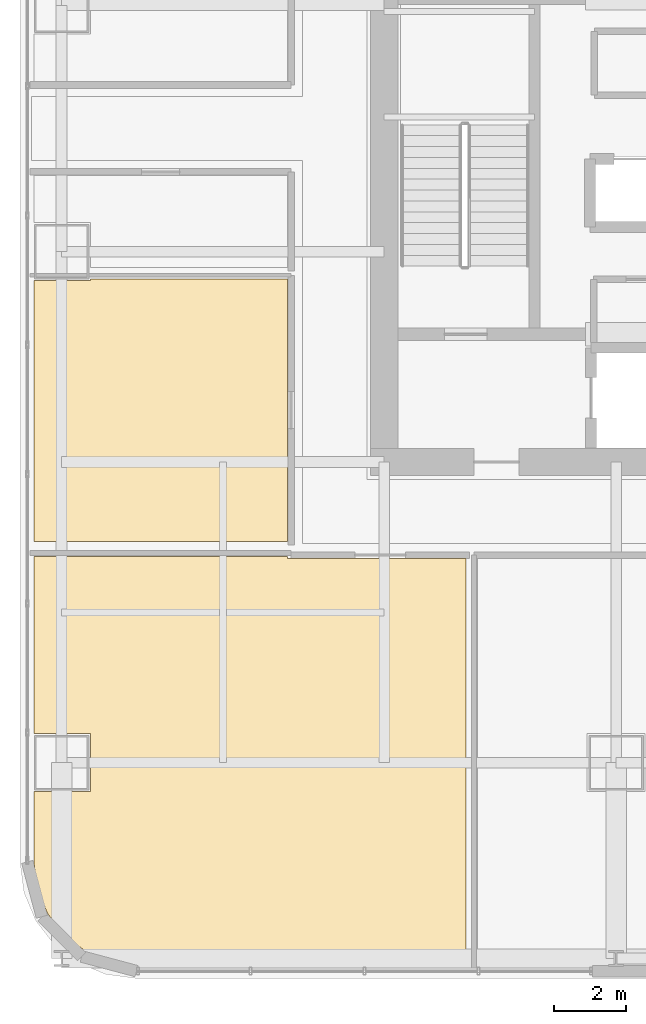
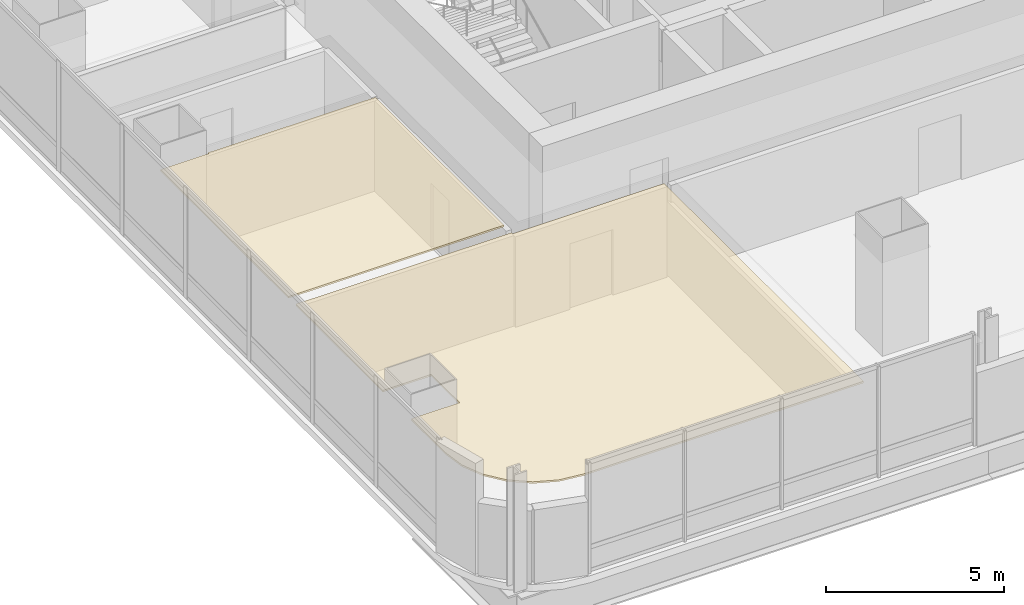
# One storey, part 32 of 40: 2 coverings.
"""IFC4 building model written with IfcOpenShell, lengths in metres."""

from ifc_helpers import new_model, si_unit, direction, frame, origin, place, context, subcontext, project, spatial, polyline, outline, extrude, material, layer, layer_set, type_object, element, save


model = new_model("IFC4")

# Units and contexts
model_context = context("Model", 3, precision=1e-05, world=origin(), true_north=direction((0.0, 1.0)))
body_context = subcontext(model_context, "Body", "Model", "MODEL_VIEW")
ifc_project = project(units=[si_unit("LENGTHUNIT", "METRE"), si_unit("AREAUNIT", "SQUARE_METRE"), si_unit("VOLUMEUNIT", "CUBIC_METRE"), si_unit("PLANEANGLEUNIT", "RADIAN"), si_unit("MASSUNIT", "GRAM", prefix="KILO")], contexts=[model_context])

# Site, building, storey
site_placement = place(None, origin())
site = spatial("IfcSite", under=ifc_project, at=site_placement, CompositionType="ELEMENT")
building_placement = place(site_placement, origin())
building = spatial("IfcBuilding", under=site, at=building_placement, Name="Punatoya Terracotta Tower", CompositionType="ELEMENT")
storey_placement = place(building_placement, frame((0.0, 0.0, 76.800048828125)))
storey = spatial("IfcBuildingStorey", under=building, at=storey_placement, Name="L17", CompositionType="ELEMENT", Elevation=76.800048828125)

# Coverings
ifc_material = material(Name="Acoustic Mineral Fibre Ceiling")
ifc_layer = layer(ifc_material, 0.06005859375)
ifc_layer_set = layer_set([ifc_layer], Name="Acoustic Mineral Fibre Ceiling")
covering_type = type_object("IfcCoveringType", Name="COV-CEIL-60", PredefinedType="CEILING", material=ifc_layer_set)
covering_1_placement = place(storey_placement, frame((0.0, 0.0, 3.199951171875)))
element("IfcCovering", 1, at=covering_1_placement, inside=storey, type_object=covering_type, Name="L17 Open-Plan Client Strategy Boardroom Acoustic Ceiling", PredefinedType="CEILING", context=body_context, shape_type="SweptSolid", body=[
    extrude(outline(polyline([(-19.8701171875, -18.300048828125), (-19.8701171875, -20.22509765625), (-19.770751953125, -20.97900390625), (-19.489501953125, -21.658203125), (-19.041748046875, -22.24169921875), (-18.458251953125, -22.689453125), (-17.779052734375, -22.970703125), (-17.025146484375, -23.070068359375), (-7.946044921875, -23.070068359375), (-7.946044921875, -11.8701171875), (-12.8701171875, -11.8701171875), (-12.8701171875, -11.81005859375), (-19.8701171875, -11.81005859375), (-19.8701171875, -16.699951171875), (-18.300048828125, -16.699951171875), (-18.300048828125, -18.300048828125), (-19.8701171875, -18.300048828125)])), origin(), (0.0, 0.0, 1.0), 0.06005859375),
])
covering_2_placement = place(storey_placement, frame((0.0, 0.0, 3.199951171875)))
element("IfcCovering", 2, at=covering_2_placement, inside=storey, type_object=covering_type, Name="L17 Executive Briefing Room Acoustic Ceiling", PredefinedType="CEILING", context=body_context, shape_type="SweptSolid", body=[
    extrude(outline(polyline([(-18.300048828125, -4.199951171875), (-19.8701171875, -4.199951171875), (-19.8701171875, -11.389892578125), (-12.8701171875, -11.389892578125), (-12.8701171875, -4.14990234375), (-18.300048828125, -4.14990234375), (-18.300048828125, -4.199951171875)])), origin(), (0.0, 0.0, 1.0), 0.06005859375),
])

save(model, "model.ifc")
